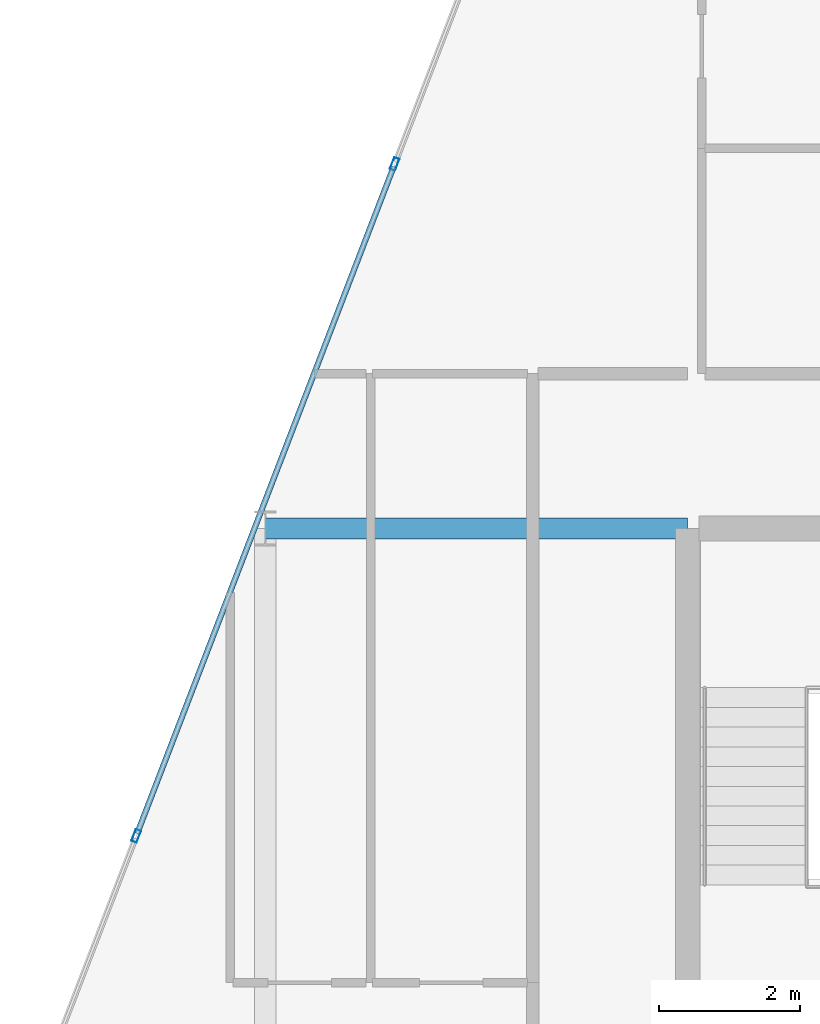
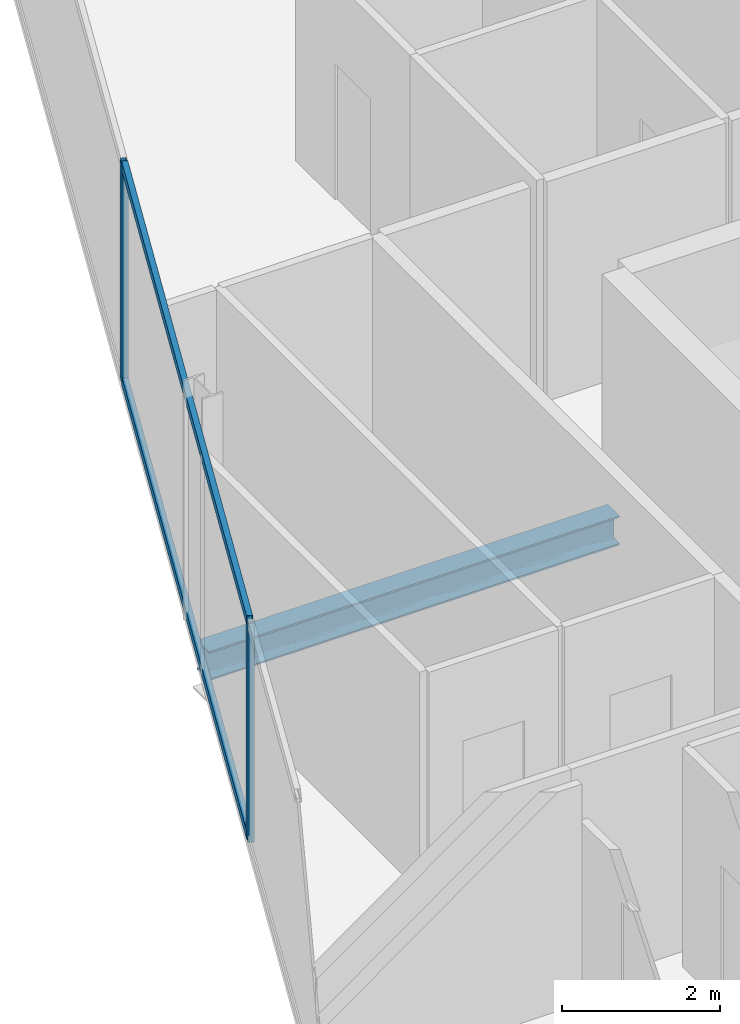
# One storey, part 15 of 32: 4 members, 1 beam, 1 element without a shape of its own.
"""IFC4 building model written with IfcOpenShell, lengths in metres."""

from ifc_helpers import new_model, si_unit, direction, frame, origin, origin_2d, place, context, subcontext, project, spatial, hollow_rectangle, i_section, extrude, material, layer, layer_set, material_profile, profile_set, type_object, element, aggregate, save


model = new_model("IFC4")

# Units and contexts
model_context = context("Model", 3, precision=1e-05, world=origin(), true_north=direction((0.0, 1.0)))
body_context = subcontext(model_context, "Body", "Model", "MODEL_VIEW")
ifc_project = project(units=[si_unit("LENGTHUNIT", "METRE"), si_unit("AREAUNIT", "SQUARE_METRE"), si_unit("VOLUMEUNIT", "CUBIC_METRE"), si_unit("PLANEANGLEUNIT", "RADIAN"), si_unit("MASSUNIT", "GRAM", prefix="KILO")], contexts=[model_context])

# Site, building, storey
site_placement = place(None, origin())
site = spatial("IfcSite", under=ifc_project, at=site_placement, CompositionType="ELEMENT")
building_placement = place(site_placement, origin())
building = spatial("IfcBuilding", under=site, at=building_placement, Name="Keshet Zoharim Tower", CompositionType="ELEMENT")
storey_placement = place(building_placement, frame((0.0, 0.0, 137.199951171875)))
storey = spatial("IfcBuildingStorey", under=building, at=storey_placement, Name="L33", CompositionType="ELEMENT", Elevation=137.199951171875)

# Beam
ifc_material_1 = material(Name="Steel S355", Category="steel")
ifc_material_profile_1 = material_profile(ifc_material_1, i_section(OverallWidth=0.300048828125, OverallDepth=0.449951171875, WebThickness=0.013916015625, FlangeThickness=0.02587890625, FilletRadius=0.027099609375, at=origin_2d()), Name="HEB450")
ifc_profile_set_1 = profile_set([ifc_material_profile_1], Name="Steel S355")
beam_type = type_object("IfcBeamType", Name="BM-WEB-HB450", PredefinedType="BEAM", material=ifc_profile_set_1)
beam_placement = place(storey_placement, frame((9.0, 37.89990234375, -0.5400390625), z_axis=(1.0, 0.0, 0.0), x_axis=(0.0, 1.0, 0.0)))
element("IfcBeam", 1, at=beam_placement, inside=storey, type_object=beam_type, Name="L33 Primary Girder X-018", PredefinedType="BEAM", context=body_context, shape_type="SweptSolid", body=[
    extrude(i_section(OverallWidth=0.300048828125, OverallDepth=0.449951171875, WebThickness=0.013916015625, FlangeThickness=0.02587890625, FilletRadius=0.027099609375, at=origin_2d()), origin(), (0.0, 0.0, 1.0), 6.0),
])

# Curtain wall, members
ifc_material_2 = material(Name="Aluminium 6063-T6", Category="aluminium")
ifc_layer = layer(ifc_material_2, 0.159912109375)
ifc_layer_set = layer_set([ifc_layer], Name="Aluminium 6063-T6")
curtain_wall_type = type_object("IfcCurtainWallType", Name="CW-SYS-03", PredefinedType="NOTDEFINED", material=ifc_layer_set)
curtain_wall_placement = place(storey_placement, origin())
curtain_wall = element("IfcCurtainWall", 2, at=curtain_wall_placement, inside=storey, type_object=curtain_wall_type, Name="L33 Unitised Curtain Wall 10", PredefinedType="NOTDEFINED")
ifc_material_profile_2 = material_profile(ifc_material_2, hollow_rectangle(XDim=0.080078125, YDim=0.179931640625, WallThickness=0.00439453125, at=origin_2d()), Name="MUL-80x180")
ifc_profile_set_2 = profile_set([ifc_material_profile_2], Name="Aluminium 6063-T6")
member_type_1 = type_object("IfcMemberType", Name="CWM-M18", PredefinedType="MULLION", material=ifc_profile_set_2)
member_1_placement = place(storey_placement, frame((7.1669921875, 33.53466796875, 0.0), z_axis=(0.0, 0.0, 1.0), x_axis=(-0.933341404361, 0.358990003907, 0.0)))
member_1 = element("IfcMember", 3, at=member_1_placement, type_object=member_type_1, Name="CW-03 mullion 2", PredefinedType="MULLION", context=body_context, shape_type="SweptSolid", body=[
    extrude(hollow_rectangle(XDim=0.080078125, YDim=0.179931640625, WallThickness=0.00439453125, at=origin_2d()), origin(), (0.0, 0.0, 1.0), 3.385009765625),
])
member_2_placement = place(storey_placement, frame((10.8369140625, 43.076416015625, 0.0), z_axis=(0.0, 0.0, 1.0), x_axis=(-0.933341404361, 0.358990003907, 0.0)))
member_2 = element("IfcMember", 4, at=member_2_placement, type_object=member_type_1, Name="CW-03 mullion 3", PredefinedType="MULLION", context=body_context, shape_type="SweptSolid", body=[
    extrude(hollow_rectangle(XDim=0.080078125, YDim=0.179931640625, WallThickness=0.00439453125, at=origin_2d()), origin(), (0.0, 0.0, 1.0), 3.385009765625),
])
ifc_material_profile_3 = material_profile(ifc_material_2, hollow_rectangle(XDim=0.080078125, YDim=0.139892578125, WallThickness=0.00390625, at=origin_2d()), Name="TRN-80x140")
ifc_profile_set_3 = profile_set([ifc_material_profile_3], Name="Aluminium 6063-T6")
member_type_2 = type_object("IfcMemberType", Name="CWT-T14", PredefinedType="USERDEFINED", material=ifc_profile_set_3)
member_3_placement = place(storey_placement, frame((7.179443359375, 33.5673828125, 0.03515625), z_axis=(0.359003248899, 0.933336309848, 0.0), x_axis=(-0.933336309848, 0.359003248899, 0.0)))
member_3 = element("IfcMember", 5, at=member_3_placement, type_object=member_type_2, Name="CW-03 transom 2.1", ObjectType="TRANSOM", PredefinedType="USERDEFINED", context=body_context, shape_type="SweptSolid", body=[
    extrude(hollow_rectangle(XDim=0.080078125, YDim=0.139892578125, WallThickness=0.00390625, at=origin_2d()), origin(), (0.0, 0.0, 1.0), 10.153076171875),
])
member_4_placement = place(storey_placement, frame((7.179443359375, 33.5673828125, 3.35009765625), z_axis=(0.359003248899, 0.933336309848, 0.0), x_axis=(-0.933336309848, 0.359003248899, 0.0)))
member_4 = element("IfcMember", 6, at=member_4_placement, type_object=member_type_2, Name="CW-03 transom 2.2", ObjectType="TRANSOM", PredefinedType="USERDEFINED", context=body_context, shape_type="SweptSolid", body=[
    extrude(hollow_rectangle(XDim=0.080078125, YDim=0.139892578125, WallThickness=0.00390625, at=origin_2d()), origin(), (0.0, 0.0, 1.0), 10.153076171875),
])
aggregate(curtain_wall, [member_1, member_2, member_3, member_4])

save(model, "model.ifc")
